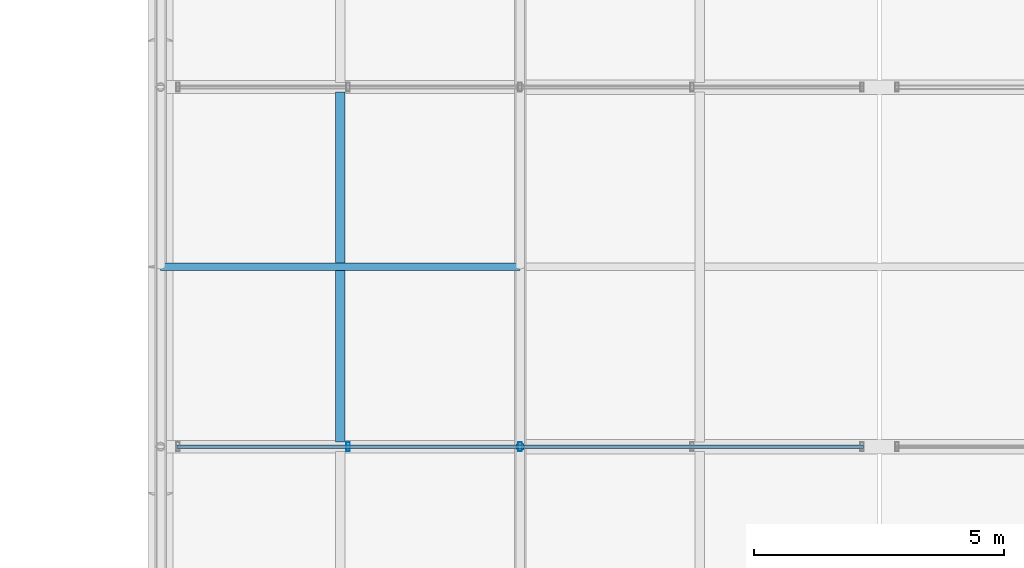
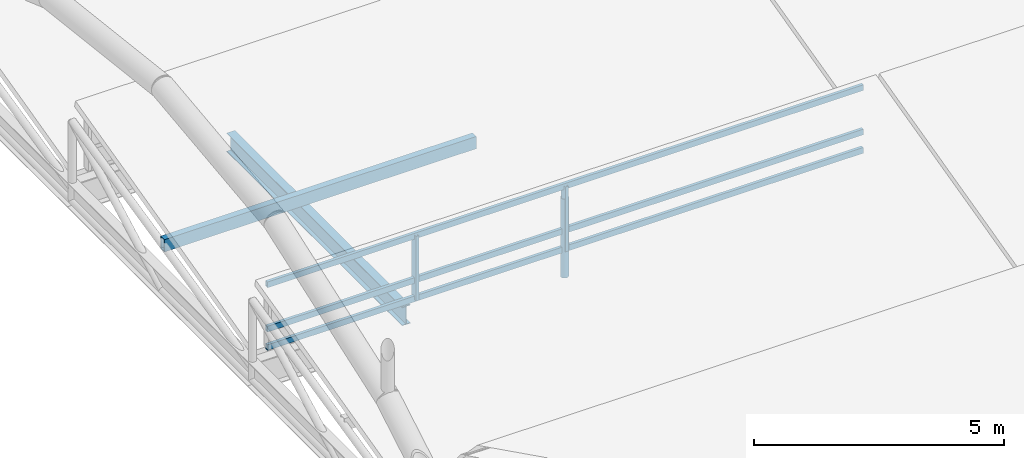
# One storey, part 68 of 144: 7 members, 1 beam, 1 element without a shape of its own.
"""IFC4 building model written with IfcOpenShell, lengths in metres."""

from ifc_helpers import new_model, si_unit, direction, frame, origin, origin_2d, place, context, subcontext, project, spatial, hollow_rectangle, hollow_circle, i_section, extrude, material, material_profile, profile_set, type_object, element, aggregate, save


model = new_model("IFC4")

# Units and contexts
model_context = context("Model", 3, precision=1e-05, world=origin(), true_north=direction((0.0, 1.0)))
body_context = subcontext(model_context, "Body", "Model", "MODEL_VIEW")
ifc_project = project(units=[si_unit("LENGTHUNIT", "METRE"), si_unit("AREAUNIT", "SQUARE_METRE"), si_unit("VOLUMEUNIT", "CUBIC_METRE"), si_unit("PLANEANGLEUNIT", "RADIAN"), si_unit("MASSUNIT", "GRAM", prefix="KILO")], contexts=[model_context])

# Site, building, storey
site_placement = place(None, origin())
site = spatial("IfcSite", under=ifc_project, at=site_placement, CompositionType="ELEMENT")
building_placement = place(site_placement, origin())
building = spatial("IfcBuilding", under=site, at=building_placement, Name="Yarey Park Central Fire Station", CompositionType="ELEMENT")
storey_placement = place(building_placement, frame((0.0, 0.0, 10.199951171875)))
storey = spatial("IfcBuildingStorey", under=building, at=storey_placement, Name="L03", CompositionType="ELEMENT", Elevation=10.199951171875)

# Curtain wall, members
ifc_material_1 = material(Name="Anodized Aluminium Frame", Category="aluminium")
curtain_wall_type = type_object("IfcCurtainWallType", Name="ENV_CW_SAW_18", PredefinedType="NOTDEFINED", material=ifc_material_1)
curtain_wall_placement = place(storey_placement, origin())
curtain_wall = element("IfcCurtainWall", 1, at=curtain_wall_placement, inside=storey, type_object=curtain_wall_type, Name="CW_L03_SAW_4_1", PredefinedType="NOTDEFINED")
ifc_material_profile_1 = material_profile(ifc_material_1, hollow_rectangle(XDim=0.070068359375, YDim=0.179931640625, WallThickness=0.00390625, at=origin_2d()), Name="ALU 180x70x4")
ifc_profile_set_1 = profile_set([ifc_material_profile_1], Name="Anodized Aluminium Frame")
member_type_1 = type_object("IfcMemberType", Name="ENV_CW_MULLION", PredefinedType="MULLION", material=ifc_profile_set_1)
member_1_placement = place(storey_placement, frame((144.0, 72.0, 0.0), z_axis=(0.0, 0.0, 1.0), x_axis=(1.0, 0.0, 0.0)))
member_1 = element("IfcMember", 2, at=member_1_placement, type_object=member_type_1, Name="CW_L03_SAW_4_1_MUL3", PredefinedType="MULLION", context=body_context, shape_type="SweptSolid", body=[
    extrude(hollow_rectangle(XDim=0.070068359375, YDim=0.179931640625, WallThickness=0.00390625, at=origin_2d()), origin(), (0.0, 0.0, 1.0), 1.580078125),
])
member_2_placement = place(storey_placement, frame((140.554931640625, 72.0, 0.0), z_axis=(0.0, 0.0, 1.0), x_axis=(1.0, 0.0, 0.0)))
member_2 = element("IfcMember", 3, at=member_2_placement, type_object=member_type_1, Name="CW_L03_SAW_4_1_MUL4", PredefinedType="MULLION", context=body_context, shape_type="SweptSolid", body=[
    extrude(hollow_rectangle(XDim=0.070068359375, YDim=0.179931640625, WallThickness=0.00390625, at=origin_2d()), origin(), (0.0, 0.0, 1.0), 1.580078125),
])
ifc_material_profile_2 = material_profile(ifc_material_1, hollow_rectangle(XDim=0.070068359375, YDim=0.139892578125, WallThickness=0.00390625, at=origin_2d()), Name="ALU 140x70x4")
ifc_profile_set_2 = profile_set([ifc_material_profile_2], Name="Anodized Aluminium Frame")
member_type_2 = type_object("IfcMemberType", Name="ENV_CW_TRANSOM", PredefinedType="USERDEFINED", material=ifc_profile_set_2)
member_3_placement = place(storey_placement, frame((150.875, 72.0, 0.025146484375), z_axis=(-1.0, 0.0, 0.0), x_axis=(0.0, -1.0, 0.0)))
member_3 = element("IfcMember", 4, at=member_3_placement, type_object=member_type_2, Name="CW_L03_SAW_4_1_TRN1", ObjectType="TRANSOM", PredefinedType="USERDEFINED", context=body_context, shape_type="SweptSolid", body=[
    extrude(hollow_rectangle(XDim=0.070068359375, YDim=0.139892578125, WallThickness=0.00390625, at=origin_2d()), origin(), (0.0, 0.0, 1.0), 13.75),
])
member_4_placement = place(storey_placement, frame((150.875, 72.0, 0.47412109375), z_axis=(-1.0, 0.0, 0.0), x_axis=(0.0, -1.0, 0.0)))
member_4 = element("IfcMember", 5, at=member_4_placement, type_object=member_type_2, Name="CW_L03_SAW_4_1_TRN2", ObjectType="TRANSOM", PredefinedType="USERDEFINED", context=body_context, shape_type="SweptSolid", body=[
    extrude(hollow_rectangle(XDim=0.070068359375, YDim=0.139892578125, WallThickness=0.00390625, at=origin_2d()), origin(), (0.0, 0.0, 1.0), 13.75),
])
member_5_placement = place(storey_placement, frame((150.875, 72.0, 1.554931640625), z_axis=(-1.0, 0.0, 0.0), x_axis=(0.0, -1.0, 0.0)))
member_5 = element("IfcMember", 6, at=member_5_placement, type_object=member_type_2, Name="CW_L03_SAW_4_1_TRN3", ObjectType="TRANSOM", PredefinedType="USERDEFINED", context=body_context, shape_type="SweptSolid", body=[
    extrude(hollow_rectangle(XDim=0.070068359375, YDim=0.139892578125, WallThickness=0.00390625, at=origin_2d()), origin(), (0.0, 0.0, 1.0), 13.75),
])
aggregate(curtain_wall, [member_1, member_2, member_3, member_4, member_5])

# Beam
ifc_material_2 = material(Name="Steel ASTM A992 Gr. 50", Category="steel")
ifc_material_profile_3 = material_profile(ifc_material_2, i_section(OverallWidth=0.18994140625, OverallDepth=0.45703125, WebThickness=0.009033203125, FlangeThickness=0.014404296875, at=origin_2d()), Name="W460x74")
ifc_profile_set_3 = profile_set([ifc_material_profile_3], Name="Steel ASTM A992 Gr. 50")
beam_type = type_object("IfcBeamType", Name="STR_JST_W460", PredefinedType="JOIST", material=ifc_profile_set_3)
beam_placement = place(storey_placement, frame((140.39990234375, 72.094970703125, -0.408447265625), z_axis=(0.0, 1.0, 0.0), x_axis=(-1.0, 0.0, 0.0)))
element("IfcBeam", 7, at=beam_placement, inside=storey, type_object=beam_type, Name="JST L03 X1404 Y720", PredefinedType="JOIST", context=body_context, shape_type="SweptSolid", body=[
    extrude(i_section(OverallWidth=0.18994140625, OverallDepth=0.45703125, WebThickness=0.009033203125, FlangeThickness=0.014404296875, at=origin_2d()), origin(), (0.0, 0.0, 1.0), 7.010009765625),
])

# Members
ifc_material_3 = material(Name="Steel ASTM A500 Gr. C", Category="steel")
ifc_material_profile_4 = material_profile(ifc_material_3, hollow_rectangle(XDim=0.14990234375, YDim=0.300048828125, WallThickness=0.010009765625, at=origin_2d()), Name="HSS 300x150x10")
ifc_profile_set_4 = profile_set([ifc_material_profile_4], Name="Steel ASTM A500 Gr. C")
member_type_3 = type_object("IfcMemberType", Name="STR_PUR_HSS300", PredefinedType="PURLIN", material=ifc_profile_set_4)
member_6_placement = place(storey_placement, frame((136.800048828125, 75.60009765625, 0.462646484375), z_axis=(1.0, 0.0, 0.0), x_axis=(0.0, 1.0, 0.0)))
element("IfcMember", 8, at=member_6_placement, inside=storey, type_object=member_type_3, Name="SAW_PUR_1_B5", PredefinedType="PURLIN", context=body_context, shape_type="SweptSolid", body=[
    extrude(hollow_rectangle(XDim=0.14990234375, YDim=0.300048828125, WallThickness=0.010009765625, at=origin_2d()), origin(), (0.0, 0.0, 1.0), 7.199951171875),
])
ifc_material_profile_5 = material_profile(ifc_material_3, hollow_circle(Radius=0.084228515625, WallThickness=0.008056640625, at=origin_2d()), Name="CHS 168.3x8")
ifc_profile_set_5 = profile_set([ifc_material_profile_5], Name="Steel ASTM A500 Gr. C")
member_type_4 = type_object("IfcMemberType", Name="STR_WEB_CHS168", PredefinedType="BRACE", material=ifc_profile_set_5)
member_7_placement = place(storey_placement, frame((144.0, 72.0, -0.64990234375), z_axis=(0.0, 0.0, 1.0), x_axis=(1.0, 0.0, 0.0)))
element("IfcMember", 9, at=member_7_placement, inside=storey, type_object=member_type_4, Name="SAW_T2_B4_VT", PredefinedType="BRACE", context=body_context, shape_type="SweptSolid", body=[
    extrude(hollow_circle(Radius=0.084228515625, WallThickness=0.008056640625, at=origin_2d()), origin(), (0.0, 0.0, 1.0), 1.925048828125),
])

save(model, "model.ifc")
